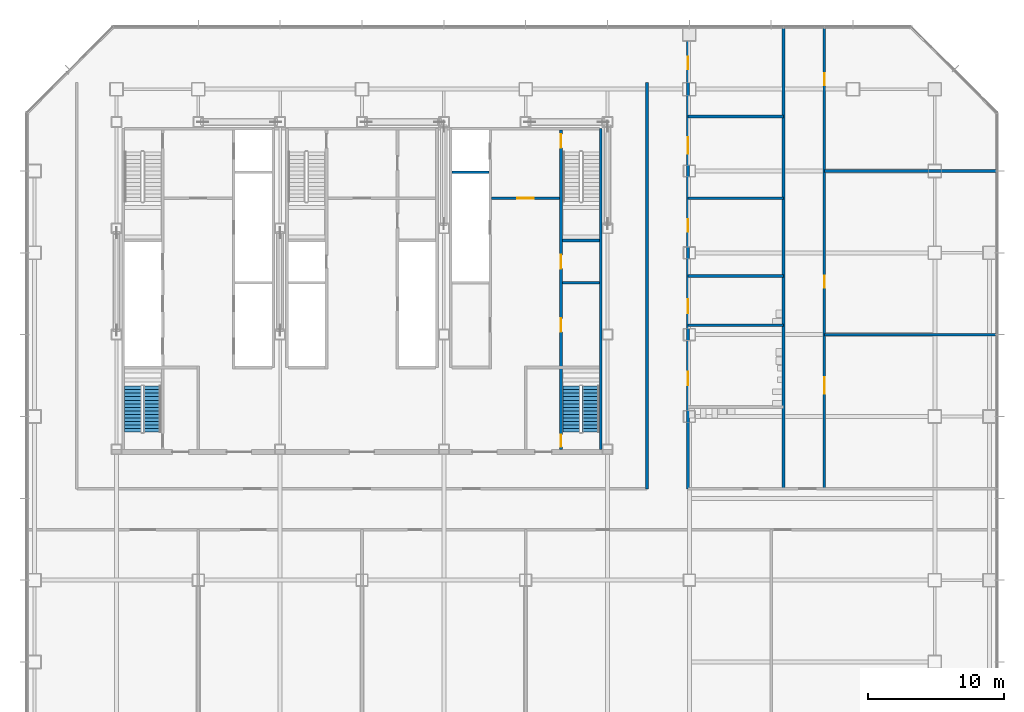
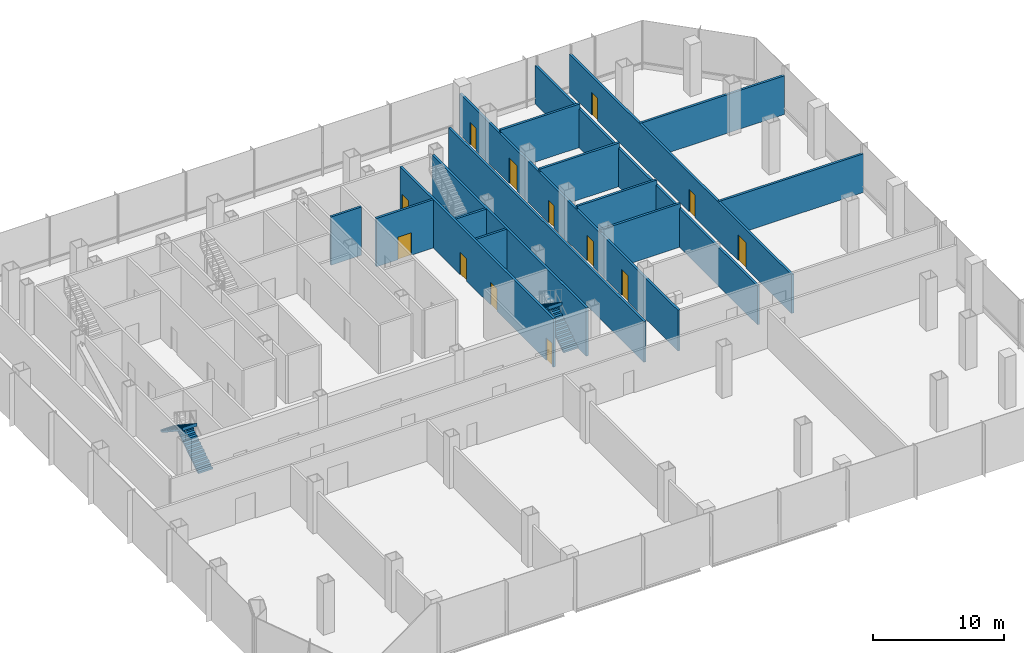
# One storey, part 25 of 34: 16 walls, 13 doors, 4 stair flights, 13 openings, 2 elements without a shape of their own.
"""IFC4 building model written with IfcOpenShell, lengths in metres."""

from ifc_helpers import new_model, si_unit, direction, frame, frame_2d, origin, place, context, subcontext, project, spatial, polyline, rectangle, outline, extrude, material, layer, layer_set, type_object, element, fill, aggregate, save


model = new_model("IFC4")

# Units and contexts
model_context = context("Model", 3, precision=1e-05, world=origin(), true_north=direction((0.0, 1.0)))
body_context = subcontext(model_context, "Body", "Model", "MODEL_VIEW")
ifc_project = project(units=[si_unit("LENGTHUNIT", "METRE"), si_unit("AREAUNIT", "SQUARE_METRE"), si_unit("VOLUMEUNIT", "CUBIC_METRE"), si_unit("PLANEANGLEUNIT", "RADIAN"), si_unit("MASSUNIT", "GRAM", prefix="KILO")], contexts=[model_context])

# Site, building, storey
site_placement = place(None, origin())
site = spatial("IfcSite", under=ifc_project, at=site_placement, CompositionType="ELEMENT")
building_placement = place(site_placement, origin())
building = spatial("IfcBuilding", under=site, at=building_placement, Name="Sorahane Residences", CompositionType="ELEMENT")
storey_placement = place(building_placement, frame((0.0, 0.0, 39.60009765625)))
storey = spatial("IfcBuildingStorey", under=building, at=storey_placement, Name="L06", CompositionType="ELEMENT", Elevation=39.60009765625)

# Walls
ifc_material_1 = material(Name="Concrete C30", Category="concrete")
ifc_layer_1 = layer(ifc_material_1, 0.199951171875)
ifc_layer_set_1 = layer_set([ifc_layer_1], Name="Core face wall 200 EI 180")
wall_type_1 = type_object("IfcWallType", Name="Core face wall 200 EI 180", PredefinedType="SOLIDWALL", material=ifc_layer_set_1)
wall_1_placement = place(storey_placement, frame((41.5, 21.60009765625, 0.0), z_axis=(0.0, 0.0, 1.0), x_axis=(0.0, 1.0, 0.0)))
element("IfcWall", 1, at=wall_1_placement, inside=storey, type_object=wall_type_1, Name="L06 core face wall", PredefinedType="SOLIDWALL", context=body_context, shape_type="SweptSolid", body=[
    extrude(rectangle(XDim=23.5, YDim=0.199951171875, at=frame_2d((11.75, 0.0))), origin(), (0.0, 0.0, 1.0), 4.5),
])
ifc_material_2 = material(Name="Concrete blockwork C20 wall", Category="masonry")
ifc_layer_2 = layer(ifc_material_2, 0.199951171875)
ifc_layer_set_2 = layer_set([ifc_layer_2], Name="Corridor wall 200 EI 120")
wall_type_2 = type_object("IfcWallType", Name="Corridor wall 200 EI 120", PredefinedType="SOLIDWALL", material=ifc_layer_set_2)
wall_2_placement = place(storey_placement, frame((44.89990234375, 18.699951171875, 0.0), z_axis=(0.0, 0.0, 1.0), x_axis=(0.0, 1.0, 0.0)))
element("IfcWall", 2, at=wall_2_placement, inside=storey, type_object=wall_type_2, Name="L06 corridor wall", PredefinedType="SOLIDWALL", context=body_context, shape_type="SweptSolid", body=[
    extrude(rectangle(XDim=29.800048828125, YDim=0.199951171875, at=frame_2d((14.89990234375, 0.0))), origin(), (0.0, 0.0, 1.0), 3.7998046875),
])

# Wall, openings, doors
wall_3_placement = place(storey_placement, frame((47.89990234375, 18.699951171875, 0.0), z_axis=(0.0, 0.0, 1.0), x_axis=(0.0, 1.0, 0.0)))
wall_3 = element("IfcWall", 3, at=wall_3_placement, inside=storey, type_object=wall_type_2, Name="L06 corridor wall", PredefinedType="SOLIDWALL", context=body_context, shape_type="SweptSolid", body=[
    extrude(rectangle(XDim=33.300048828125, YDim=0.199951171875, at=frame_2d((16.64990234375, 0.0))), origin(), (0.0, 0.0, 1.0), 3.7998046875),
])
opening_1_placement = place(wall_3_placement, frame((7.60009765625, 0.0, 0.0)))
opening_1 = element("IfcOpeningElement", 4, at=opening_1_placement, cuts=wall_3, Name="Opening L06-07", PredefinedType="OPENING", context=body_context, shape_type="SweptSolid", body=[
    extrude(rectangle(XDim=1.0, YDim=2.39990234375, at=frame_2d((0.5, 1.199951171875))), frame((0.0, 0.10986328125, 0.0), z_axis=(0.0, -1.0, 0.0), x_axis=(1.0, 0.0, 0.0)), (0.0, 0.0, 1.0), 0.219970703125),
])
opening_2_placement = place(wall_3_placement, frame((12.8798828125, 0.0, 0.0)))
opening_2 = element("IfcOpeningElement", 5, at=opening_2_placement, cuts=wall_3, Name="Opening L06-08", PredefinedType="OPENING", context=body_context, shape_type="SweptSolid", body=[
    extrude(rectangle(XDim=1.0, YDim=2.39990234375, at=frame_2d((0.5, 1.199951171875))), frame((0.0, 0.10986328125, 0.0), z_axis=(0.0, -1.0, 0.0), x_axis=(1.0, 0.0, 0.0)), (0.0, 0.0, 1.0), 0.219970703125),
])
opening_3_placement = place(wall_3_placement, frame((18.860107421875, 0.0, 0.0)))
opening_3 = element("IfcOpeningElement", 6, at=opening_3_placement, cuts=wall_3, Name="Opening L06-09", PredefinedType="OPENING", context=body_context, shape_type="SweptSolid", body=[
    extrude(rectangle(XDim=0.89990234375, YDim=2.10009765625, at=frame_2d((0.449951171875, 1.050048828125))), frame((0.0, 0.10986328125, 0.0), z_axis=(0.0, -1.0, 0.0), x_axis=(1.0, 0.0, 0.0)), (0.0, 0.0, 1.0), 0.219970703125),
])
opening_4_placement = place(wall_3_placement, frame((24.56005859375, 0.0, 0.0)))
opening_4 = element("IfcOpeningElement", 7, at=opening_4_placement, cuts=wall_3, Name="Opening L06-10", PredefinedType="OPENING", context=body_context, shape_type="SweptSolid", body=[
    extrude(rectangle(XDim=1.199951171875, YDim=2.39990234375, at=frame_2d((0.60009765625, 1.199951171875))), frame((0.0, 0.10986328125, 0.0), z_axis=(0.0, -1.0, 0.0), x_axis=(1.0, 0.0, 0.0)), (0.0, 0.0, 1.0), 0.219970703125),
])
opening_5_placement = place(wall_3_placement, frame((30.77001953125, 0.0, 0.0)))
opening_5 = element("IfcOpeningElement", 8, at=opening_5_placement, cuts=wall_3, Name="Opening L06-11", PredefinedType="OPENING", context=body_context, shape_type="SweptSolid", body=[
    extrude(rectangle(XDim=0.89990234375, YDim=2.10009765625, at=frame_2d((0.449951171875, 1.050048828125))), frame((0.0, 0.10986328125, 0.0), z_axis=(0.0, -1.0, 0.0), x_axis=(1.0, 0.0, 0.0)), (0.0, 0.0, 1.0), 0.219970703125),
])
ifc_material_3 = material(Name="Steel", Category="steel")
door_type_1 = type_object("IfcDoorType", Name="Plant door 1200x2400 FD60", OperationType="NOTDEFINED", PredefinedType="DOOR", material=ifc_material_3)
door_1_placement = place(opening_4_placement, frame((1.199951171875, 0.0, 0.0), z_axis=(0.0, 0.0, 1.0), x_axis=(-1.0, 0.0, 0.0)))
door_1 = element("IfcDoor", 9, at=door_1_placement, inside=storey, type_object=door_type_1, Name="Plant door L06-10", OperationType="SINGLE_SWING_RIGHT", OverallHeight=2.39990234375, OverallWidth=1.199951171875, PredefinedType="DOOR", context=body_context, shape_type="SweptSolid", body=[
    extrude(rectangle(XDim=1.199951171875, YDim=2.39990234375, at=frame_2d((0.60009765625, 1.199951171875))), frame((0.0, 0.02490234375, 0.0), z_axis=(0.0, -1.0, 0.0), x_axis=(1.0, 0.0, 0.0)), (0.0, 0.0, 1.0), 0.050048828125),
])
fill(opening_4, door_1)
ifc_material_4 = material(Name="Timber veneered fire door", Category="wood")
door_type_2 = type_object("IfcDoorType", Name="Room door 1000x2400 FD30", OperationType="NOTDEFINED", PredefinedType="DOOR", material=ifc_material_4)
door_2_placement = place(opening_1_placement, frame((1.0, 0.0, 0.0), z_axis=(0.0, 0.0, 1.0), x_axis=(-1.0, 0.0, 0.0)))
door_2 = element("IfcDoor", 10, at=door_2_placement, inside=storey, type_object=door_type_2, Name="Room door L06-07", OperationType="SINGLE_SWING_LEFT", OverallHeight=2.39990234375, OverallWidth=1.0, PredefinedType="DOOR", context=body_context, shape_type="SweptSolid", body=[
    extrude(rectangle(XDim=1.0, YDim=2.39990234375, at=frame_2d((0.5, 1.199951171875))), frame((0.0, 0.02490234375, 0.0), z_axis=(0.0, -1.0, 0.0), x_axis=(1.0, 0.0, 0.0)), (0.0, 0.0, 1.0), 0.050048828125),
])
fill(opening_1, door_2)
door_3_placement = place(opening_2_placement, frame((1.0, 0.0, 0.0), z_axis=(0.0, 0.0, 1.0), x_axis=(-1.0, 0.0, 0.0)))
door_3 = element("IfcDoor", 11, at=door_3_placement, inside=storey, type_object=door_type_2, Name="Room door L06-08", OperationType="SINGLE_SWING_LEFT", OverallHeight=2.39990234375, OverallWidth=1.0, PredefinedType="DOOR", context=body_context, shape_type="SweptSolid", body=[
    extrude(rectangle(XDim=1.0, YDim=2.39990234375, at=frame_2d((0.5, 1.199951171875))), frame((0.0, 0.02490234375, 0.0), z_axis=(0.0, -1.0, 0.0), x_axis=(1.0, 0.0, 0.0)), (0.0, 0.0, 1.0), 0.050048828125),
])
fill(opening_2, door_3)
ifc_material_5 = material(Name="Timber veneered fire door", Category="wood")
door_type_3 = type_object("IfcDoorType", Name="Service door 900x2100 FD30", OperationType="NOTDEFINED", PredefinedType="DOOR", material=ifc_material_5)
door_4_placement = place(opening_3_placement, frame((0.89990234375, 0.0, 0.0), z_axis=(0.0, 0.0, 1.0), x_axis=(-1.0, 0.0, 0.0)))
door_4 = element("IfcDoor", 12, at=door_4_placement, inside=storey, type_object=door_type_3, Name="Service door L06-09", OperationType="SINGLE_SWING_RIGHT", OverallHeight=2.10009765625, OverallWidth=0.89990234375, PredefinedType="DOOR", context=body_context, shape_type="SweptSolid", body=[
    extrude(rectangle(XDim=0.89990234375, YDim=2.10009765625, at=frame_2d((0.449951171875, 1.050048828125))), frame((0.0, 0.02490234375, 0.0), z_axis=(0.0, -1.0, 0.0), x_axis=(1.0, 0.0, 0.0)), (0.0, 0.0, 1.0), 0.050048828125),
])
fill(opening_3, door_4)
door_5_placement = place(opening_5_placement, frame((0.89990234375, 0.0, 0.0), z_axis=(0.0, 0.0, 1.0), x_axis=(-1.0, 0.0, 0.0)))
door_5 = element("IfcDoor", 13, at=door_5_placement, inside=storey, type_object=door_type_3, Name="Service door L06-11", OperationType="SINGLE_SWING_RIGHT", OverallHeight=2.10009765625, OverallWidth=0.89990234375, PredefinedType="DOOR", context=body_context, shape_type="SweptSolid", body=[
    extrude(rectangle(XDim=0.89990234375, YDim=2.10009765625, at=frame_2d((0.449951171875, 1.050048828125))), frame((0.0, 0.02490234375, 0.0), z_axis=(0.0, -1.0, 0.0), x_axis=(1.0, 0.0, 0.0)), (0.0, 0.0, 1.0), 0.050048828125),
])
fill(opening_5, door_5)

# Wall
wall_4_placement = place(storey_placement, frame((54.89990234375, 18.699951171875, 0.0), z_axis=(0.0, 0.0, 1.0), x_axis=(0.0, 1.0, 0.0)))
element("IfcWall", 14, at=wall_4_placement, inside=storey, type_object=wall_type_2, Name="L06 corridor wall", PredefinedType="SOLIDWALL", context=body_context, shape_type="SweptSolid", body=[
    extrude(rectangle(XDim=33.900146484375, YDim=0.199951171875, at=frame_2d((16.9501953125, 0.0))), origin(), (0.0, 0.0, 1.0), 3.599853515625),
])

# Wall, openings, doors
wall_5_placement = place(storey_placement, frame((57.89990234375, 18.699951171875, 0.0), z_axis=(0.0, 0.0, 1.0), x_axis=(0.0, 1.0, 0.0)))
wall_5 = element("IfcWall", 15, at=wall_5_placement, inside=storey, type_object=wall_type_2, Name="L06 corridor wall", PredefinedType="SOLIDWALL", context=body_context, shape_type="SweptSolid", body=[
    extrude(rectangle(XDim=33.900146484375, YDim=0.199951171875, at=frame_2d((16.9501953125, 0.0))), origin(), (0.0, 0.0, 1.0), 3.599853515625),
])
opening_6_placement = place(wall_5_placement, frame((6.969970703125, 0.0, 0.0)))
opening_6 = element("IfcOpeningElement", 16, at=opening_6_placement, cuts=wall_5, Name="Opening L06-13", PredefinedType="OPENING", context=body_context, shape_type="SweptSolid", body=[
    extrude(rectangle(XDim=1.199951171875, YDim=2.39990234375, at=frame_2d((0.60009765625, 1.199951171875))), frame((0.0, 0.10986328125, 0.0), z_axis=(0.0, -1.0, 0.0), x_axis=(1.0, 0.0, 0.0)), (0.0, 0.0, 1.0), 0.219970703125),
])
opening_7_placement = place(wall_5_placement, frame((14.72998046875, 0.0, 0.0)))
opening_7 = element("IfcOpeningElement", 17, at=opening_7_placement, cuts=wall_5, Name="Opening L06-14", PredefinedType="OPENING", context=body_context, shape_type="SweptSolid", body=[
    extrude(rectangle(XDim=0.89990234375, YDim=2.10009765625, at=frame_2d((0.449951171875, 1.050048828125))), frame((0.0, 0.10986328125, 0.0), z_axis=(0.0, -1.0, 0.0), x_axis=(1.0, 0.0, 0.0)), (0.0, 0.0, 1.0), 0.219970703125),
])
opening_8_placement = place(wall_5_placement, frame((29.570068359375, 0.0, 0.0)))
opening_8 = element("IfcOpeningElement", 18, at=opening_8_placement, cuts=wall_5, Name="Opening L06-15", PredefinedType="OPENING", context=body_context, shape_type="SweptSolid", body=[
    extrude(rectangle(XDim=0.89990234375, YDim=2.10009765625, at=frame_2d((0.449951171875, 1.050048828125))), frame((0.0, 0.10986328125, 0.0), z_axis=(0.0, -1.0, 0.0), x_axis=(1.0, 0.0, 0.0)), (0.0, 0.0, 1.0), 0.219970703125),
])
door_6_placement = place(opening_6_placement, frame((1.199951171875, 0.0, 0.0), z_axis=(0.0, 0.0, 1.0), x_axis=(-1.0, 0.0, 0.0)))
door_6 = element("IfcDoor", 19, at=door_6_placement, inside=storey, type_object=door_type_1, Name="Plant door L06-13", OperationType="SINGLE_SWING_RIGHT", OverallHeight=2.39990234375, OverallWidth=1.199951171875, PredefinedType="DOOR", context=body_context, shape_type="SweptSolid", body=[
    extrude(rectangle(XDim=1.199951171875, YDim=2.39990234375, at=frame_2d((0.60009765625, 1.199951171875))), frame((0.0, 0.02490234375, 0.0), z_axis=(0.0, -1.0, 0.0), x_axis=(1.0, 0.0, 0.0)), (0.0, 0.0, 1.0), 0.050048828125),
])
fill(opening_6, door_6)
door_7_placement = place(opening_7_placement, frame((0.89990234375, 0.0, 0.0), z_axis=(0.0, 0.0, 1.0), x_axis=(-1.0, 0.0, 0.0)))
door_7 = element("IfcDoor", 20, at=door_7_placement, inside=storey, type_object=door_type_3, Name="Service door L06-14", OperationType="SINGLE_SWING_RIGHT", OverallHeight=2.10009765625, OverallWidth=0.89990234375, PredefinedType="DOOR", context=body_context, shape_type="SweptSolid", body=[
    extrude(rectangle(XDim=0.89990234375, YDim=2.10009765625, at=frame_2d((0.449951171875, 1.050048828125))), frame((0.0, 0.02490234375, 0.0), z_axis=(0.0, -1.0, 0.0), x_axis=(1.0, 0.0, 0.0)), (0.0, 0.0, 1.0), 0.050048828125),
])
fill(opening_7, door_7)
door_8_placement = place(opening_8_placement, frame((0.89990234375, 0.0, 0.0), z_axis=(0.0, 0.0, 1.0), x_axis=(-1.0, 0.0, 0.0)))
door_8 = element("IfcDoor", 21, at=door_8_placement, inside=storey, type_object=door_type_3, Name="Service door L06-15", OperationType="SINGLE_SWING_RIGHT", OverallHeight=2.10009765625, OverallWidth=0.89990234375, PredefinedType="DOOR", context=body_context, shape_type="SweptSolid", body=[
    extrude(rectangle(XDim=0.89990234375, YDim=2.10009765625, at=frame_2d((0.449951171875, 1.050048828125))), frame((0.0, 0.02490234375, 0.0), z_axis=(0.0, -1.0, 0.0), x_axis=(1.0, 0.0, 0.0)), (0.0, 0.0, 1.0), 0.050048828125),
])
fill(opening_8, door_8)

# Walls
wall_6_placement = place(storey_placement, frame((57.89990234375, 30.0, 0.0), z_axis=(0.0, 0.0, 1.0), x_axis=(1.0, 0.0, 0.0)))
element("IfcWall", 22, at=wall_6_placement, inside=storey, type_object=wall_type_2, Name="L06 corridor wall", PredefinedType="SOLIDWALL", context=body_context, shape_type="SweptSolid", body=[
    extrude(rectangle(XDim=12.7001953125, YDim=0.199951171875, at=frame_2d((6.35009765625, 0.0))), origin(), (0.0, 0.0, 1.0), 3.599853515625),
])
for number, where, z_axis, x_axis, name in (
    (23, (47.89990234375, 30.699951171875, 0.0), (0.0, 0.0, 1.0), (1.0, 0.0, 0.0), "L06 corridor wall"),
    (24, (47.89990234375, 34.300048828125, 0.0), (0.0, 0.0, 1.0), (1.0, 0.0, 0.0), "L06 corridor wall"),
    (25, (47.89990234375, 40.0, 0.0), (0.0, 0.0, 1.0), (1.0, 0.0, 0.0), "L06 corridor wall"),
):
    element("IfcWall", number, at=place(storey_placement, frame(where, z_axis=z_axis, x_axis=x_axis)), inside=storey, type_object=wall_type_2, Name=name, PredefinedType="SOLIDWALL", context=body_context, shape_type="SweptSolid", body=[
        extrude(rectangle(XDim=7.0, YDim=0.199951171875, at=frame_2d((3.5, 0.0))), origin(), (0.0, 0.0, 1.0), 4.0498046875),
    ])
wall_7_placement = place(storey_placement, frame((57.89990234375, 42.0, 0.0), z_axis=(0.0, 0.0, 1.0), x_axis=(1.0, 0.0, 0.0)))
element("IfcWall", 26, at=wall_7_placement, inside=storey, type_object=wall_type_2, Name="L06 corridor wall", PredefinedType="SOLIDWALL", context=body_context, shape_type="SweptSolid", body=[
    extrude(rectangle(XDim=12.7001953125, YDim=0.199951171875, at=frame_2d((6.35009765625, 0.0))), origin(), (0.0, 0.0, 1.0), 3.599853515625),
])
wall_8_placement = place(storey_placement, frame((47.89990234375, 46.0, 0.0), z_axis=(0.0, 0.0, 1.0), x_axis=(1.0, 0.0, 0.0)))
element("IfcWall", 27, at=wall_8_placement, inside=storey, type_object=wall_type_2, Name="L06 corridor wall", PredefinedType="SOLIDWALL", context=body_context, shape_type="SweptSolid", body=[
    extrude(rectangle(XDim=7.0, YDim=0.199951171875, at=frame_2d((3.5, 0.0))), origin(), (0.0, 0.0, 1.0), 4.0498046875),
])

# Wall, opening, door
ifc_material_6 = material(Name="Concrete C30", Category="concrete")
ifc_layer_3 = layer(ifc_material_6, 0.199951171875)
ifc_layer_set_3 = layer_set([ifc_layer_3], Name="Front room wall 200 EI 120")
wall_type_3 = type_object("IfcWallType", Name="Front room wall 200 EI 120", PredefinedType="PARTITIONING", material=ifc_layer_set_3)
wall_9_placement = place(storey_placement, frame((33.5, 40.0, 0.0), z_axis=(0.0, 0.0, 1.0), x_axis=(1.0, 0.0, 0.0)))
wall_9 = element("IfcWall", 28, at=wall_9_placement, inside=storey, type_object=wall_type_3, Name="L06 front room wall", PredefinedType="PARTITIONING", context=body_context, shape_type="SweptSolid", body=[
    extrude(rectangle(XDim=5.0, YDim=0.199951171875, at=frame_2d((2.5, 0.0))), origin(), (0.0, 0.0, 1.0), 4.5),
])
opening_9_placement = place(wall_9_placement, frame((1.89990234375, 0.0, 0.0)))
opening_9 = element("IfcOpeningElement", 29, at=opening_9_placement, cuts=wall_9, Name="Opening L06-C08", PredefinedType="OPENING", context=body_context, shape_type="SweptSolid", body=[
    extrude(rectangle(XDim=1.199951171875, YDim=2.10009765625, at=frame_2d((0.60009765625, 1.050048828125))), frame((0.0, 0.10986328125, 0.0), z_axis=(0.0, -1.0, 0.0), x_axis=(1.0, 0.0, 0.0)), (0.0, 0.0, 1.0), 0.219970703125),
])
ifc_material_7 = material(Name="Steel", Category="steel")
door_type_4 = type_object("IfcDoorType", Name="Front room door 1200x2100 FD120", OperationType="NOTDEFINED", PredefinedType="DOOR", material=ifc_material_7)
door_9_placement = place(opening_9_placement, frame((1.199951171875, 0.0, 0.0), z_axis=(0.0, 0.0, 1.0), x_axis=(-1.0, 0.0, 0.0)))
door_9 = element("IfcDoor", 30, at=door_9_placement, inside=storey, type_object=door_type_4, Name="Front room door Firefighting lobby FF2 front room L06", OperationType="DOUBLE_DOOR_SINGLE_SWING", OverallHeight=2.10009765625, OverallWidth=1.199951171875, PredefinedType="DOOR", context=body_context, shape_type="SweptSolid", body=[
    extrude(rectangle(XDim=1.199951171875, YDim=2.10009765625, at=frame_2d((0.60009765625, 1.050048828125))), frame((0.0, 0.02490234375, 0.0), z_axis=(0.0, -1.0, 0.0), x_axis=(1.0, 0.0, 0.0)), (0.0, 0.0, 1.0), 0.050048828125),
])
fill(opening_9, door_9)

# Walls
ifc_material_8 = material(Name="Concrete C30", Category="concrete")
ifc_layer_4 = layer(ifc_material_8, 0.199951171875)
ifc_layer_set_4 = layer_set([ifc_layer_4], Name="Lift shaft wall 200 EI 120")
wall_type_4 = type_object("IfcWallType", Name="Lift shaft wall 200 EI 120", PredefinedType="SOLIDWALL", material=ifc_layer_set_4)
wall_10_placement = place(storey_placement, frame((30.60009765625, 41.89990234375, 0.0), z_axis=(0.0, 0.0, 1.0), x_axis=(1.0, 0.0, 0.0)))
element("IfcWall", 31, at=wall_10_placement, inside=storey, type_object=wall_type_4, Name="L06 lift shaft wall", PredefinedType="SOLIDWALL", context=body_context, shape_type="SweptSolid", body=[
    extrude(rectangle(XDim=2.699951171875, YDim=0.199951171875, at=frame_2d((1.35009765625, 0.0))), origin(), (0.0, 0.0, 1.0), 4.5),
])
ifc_material_9 = material(Name="Concrete C30", Category="concrete")
ifc_layer_5 = layer(ifc_material_9, 0.199951171875)
ifc_layer_set_5 = layer_set([ifc_layer_5], Name="Service room partition 200 EI 60")
wall_type_5 = type_object("IfcWallType", Name="Service room partition 200 EI 60", PredefinedType="PARTITIONING", material=ifc_layer_set_5)
wall_11_placement = place(storey_placement, frame((38.699951171875, 33.800048828125, 0.0), z_axis=(0.0, 0.0, 1.0), x_axis=(1.0, 0.0, 0.0)))
element("IfcWall", 32, at=wall_11_placement, inside=storey, type_object=wall_type_5, Name="L06 service room wall", PredefinedType="PARTITIONING", context=body_context, shape_type="SweptSolid", body=[
    extrude(rectangle(XDim=2.699951171875, YDim=0.199951171875, at=frame_2d((1.35009765625, 0.0))), origin(), (0.0, 0.0, 1.0), 4.5),
])

# Wall, openings, doors
ifc_material_10 = material(Name="Concrete C30", Category="concrete")
ifc_layer_6 = layer(ifc_material_10, 0.199951171875)
ifc_layer_set_6 = layer_set([ifc_layer_6], Name="Stair enclosure wall 200 EI 120")
wall_type_6 = type_object("IfcWallType", Name="Stair enclosure wall 200 EI 120", PredefinedType="SOLIDWALL", material=ifc_layer_set_6)
wall_12_placement = place(storey_placement, frame((38.60009765625, 21.60009765625, 0.0), z_axis=(0.0, 0.0, 1.0), x_axis=(0.0, 1.0, 0.0)))
wall_12 = element("IfcWall", 33, at=wall_12_placement, inside=storey, type_object=wall_type_6, Name="L06 stair enclosure wall", PredefinedType="SOLIDWALL", context=body_context, shape_type="SweptSolid", body=[
    extrude(rectangle(XDim=23.39990234375, YDim=0.199951171875, at=frame_2d((11.699951171875, 0.0))), origin(), (0.0, 0.0, 1.0), 4.5),
])
opening_10_placement = place(wall_12_placement, frame((8.60009765625, 0.0, 0.0)))
opening_10 = element("IfcOpeningElement", 34, at=opening_10_placement, cuts=wall_12, Name="Opening L06-C16", PredefinedType="OPENING", context=body_context, shape_type="SweptSolid", body=[
    extrude(rectangle(XDim=1.0, YDim=2.10009765625, at=frame_2d((0.5, 1.050048828125))), frame((0.0, 0.10986328125, 0.0), z_axis=(0.0, -1.0, 0.0), x_axis=(1.0, 0.0, 0.0)), (0.0, 0.0, 1.0), 0.219970703125),
])
opening_11_placement = place(wall_12_placement, frame((13.25, 0.0, 0.0)))
opening_11 = element("IfcOpeningElement", 35, at=opening_11_placement, cuts=wall_12, Name="Opening L06-C17", PredefinedType="OPENING", context=body_context, shape_type="SweptSolid", body=[
    extrude(rectangle(XDim=1.0, YDim=2.10009765625, at=frame_2d((0.5, 1.050048828125))), frame((0.0, 0.10986328125, 0.0), z_axis=(0.0, -1.0, 0.0), x_axis=(1.0, 0.0, 0.0)), (0.0, 0.0, 1.0), 0.219970703125),
])
opening_12_placement = place(wall_12_placement, frame((22.10009765625, 0.0, 0.0)))
opening_12 = element("IfcOpeningElement", 36, at=opening_12_placement, cuts=wall_12, Name="Opening L06-C20", PredefinedType="OPENING", context=body_context, shape_type="SweptSolid", body=[
    extrude(rectangle(XDim=1.0, YDim=2.10009765625, at=frame_2d((0.5, 1.050048828125))), frame((0.0, 0.10986328125, 0.0), z_axis=(0.0, -1.0, 0.0), x_axis=(1.0, 0.0, 0.0)), (0.0, 0.0, 1.0), 0.219970703125),
])
opening_13_placement = place(wall_12_placement, frame((0.175048828125, 0.0, 0.0)))
opening_13 = element("IfcOpeningElement", 37, at=opening_13_placement, cuts=wall_12, Name="Opening L06-C23", PredefinedType="OPENING", context=body_context, shape_type="SweptSolid", body=[
    extrude(rectangle(XDim=0.89990234375, YDim=2.10009765625, at=frame_2d((0.449951171875, 1.050048828125))), frame((0.0, 0.10986328125, 0.0), z_axis=(0.0, -1.0, 0.0), x_axis=(1.0, 0.0, 0.0)), (0.0, 0.0, 1.0), 0.219970703125),
])
ifc_material_11 = material(Name="Steel", Category="steel")
door_type_5 = type_object("IfcDoorType", Name="Service room door 1000x2100 FD60", OperationType="NOTDEFINED", PredefinedType="DOOR", material=ifc_material_11)
door_10_placement = place(opening_10_placement, frame((1.0, 0.0, 0.0), z_axis=(0.0, 0.0, 1.0), x_axis=(-1.0, 0.0, 0.0)))
door_10 = element("IfcDoor", 38, at=door_10_placement, inside=storey, type_object=door_type_5, Name="Service room door Flower room L06", OperationType="SINGLE_SWING_RIGHT", OverallHeight=2.10009765625, OverallWidth=1.0, PredefinedType="DOOR", context=body_context, shape_type="SweptSolid", body=[
    extrude(rectangle(XDim=1.0, YDim=2.10009765625, at=frame_2d((0.5, 1.050048828125))), frame((0.0, 0.02490234375, 0.0), z_axis=(0.0, -1.0, 0.0), x_axis=(1.0, 0.0, 0.0)), (0.0, 0.0, 1.0), 0.050048828125),
])
fill(opening_10, door_10)
door_11_placement = place(opening_11_placement, frame((1.0, 0.0, 0.0), z_axis=(0.0, 0.0, 1.0), x_axis=(-1.0, 0.0, 0.0)))
door_11 = element("IfcDoor", 39, at=door_11_placement, inside=storey, type_object=door_type_5, Name="Service room door Gift store L06", OperationType="SINGLE_SWING_LEFT", OverallHeight=2.10009765625, OverallWidth=1.0, PredefinedType="DOOR", context=body_context, shape_type="SweptSolid", body=[
    extrude(rectangle(XDim=1.0, YDim=2.10009765625, at=frame_2d((0.5, 1.050048828125))), frame((0.0, 0.02490234375, 0.0), z_axis=(0.0, -1.0, 0.0), x_axis=(1.0, 0.0, 0.0)), (0.0, 0.0, 1.0), 0.050048828125),
])
fill(opening_11, door_11)
ifc_material_12 = material(Name="Steel", Category="steel")
door_type_6 = type_object("IfcDoorType", Name="Stair door 1000x2100 FD120", OperationType="NOTDEFINED", PredefinedType="DOOR", material=ifc_material_12)
door_12_placement = place(opening_12_placement, frame((1.0, 0.0, 0.0), z_axis=(0.0, 0.0, 1.0), x_axis=(-1.0, 0.0, 0.0)))
door_12 = element("IfcDoor", 40, at=door_12_placement, inside=storey, type_object=door_type_6, Name="Stair door S2 L06", OperationType="SINGLE_SWING_LEFT", OverallHeight=2.10009765625, OverallWidth=1.0, PredefinedType="DOOR", context=body_context, shape_type="SweptSolid", body=[
    extrude(rectangle(XDim=1.0, YDim=2.10009765625, at=frame_2d((0.5, 1.050048828125))), frame((0.0, 0.02490234375, 0.0), z_axis=(0.0, -1.0, 0.0), x_axis=(1.0, 0.0, 0.0)), (0.0, 0.0, 1.0), 0.050048828125),
])
fill(opening_12, door_12)
ifc_material_13 = material(Name="Steel", Category="steel")
door_type_7 = type_object("IfcDoorType", Name="Stair door 900x2100 FD120", OperationType="NOTDEFINED", PredefinedType="DOOR", material=ifc_material_13)
door_13_placement = place(opening_13_placement, frame((0.89990234375, 0.0, 0.0), z_axis=(0.0, 0.0, 1.0), x_axis=(-1.0, 0.0, 0.0)))
door_13 = element("IfcDoor", 41, at=door_13_placement, inside=storey, type_object=door_type_7, Name="Stair door S5 L06", OperationType="SINGLE_SWING_LEFT", OverallHeight=2.10009765625, OverallWidth=0.89990234375, PredefinedType="DOOR", context=body_context, shape_type="SweptSolid", body=[
    extrude(rectangle(XDim=0.89990234375, YDim=2.10009765625, at=frame_2d((0.449951171875, 1.050048828125))), frame((0.0, 0.02490234375, 0.0), z_axis=(0.0, -1.0, 0.0), x_axis=(1.0, 0.0, 0.0)), (0.0, 0.0, 1.0), 0.050048828125),
])
fill(opening_13, door_13)

# Wall
wall_13_placement = place(storey_placement, frame((38.699951171875, 36.89990234375, 0.0), z_axis=(0.0, 0.0, 1.0), x_axis=(1.0, 0.0, 0.0)))
element("IfcWall", 42, at=wall_13_placement, inside=storey, type_object=wall_type_6, Name="L06 stair enclosure wall", PredefinedType="SOLIDWALL", context=body_context, shape_type="SweptSolid", body=[
    extrude(rectangle(XDim=2.699951171875, YDim=0.199951171875, at=frame_2d((1.35009765625, 0.0))), origin(), (0.0, 0.0, 1.0), 4.5),
])

# Stair, stair flights
ifc_material_14 = material(Name="Concrete C40", Category="concrete")
stair_type = type_object("IfcStairType", Name="Dog-leg stair 1250 Concrete C40", PredefinedType="HALF_TURN_STAIR", material=ifc_material_14)
stair_1_placement = place(storey_placement, origin())
stair_1 = element("IfcStair", 43, at=stair_1_placement, inside=storey, type_object=stair_type, Name="L06 Stair S4", PredefinedType="HALF_TURN_STAIR")
ifc_material_15 = material(Name="Concrete C40", Category="concrete")
stair_flight_type = type_object("IfcStairFlightType", Name="Stair flight 1250 Concrete C40", PredefinedType="STRAIGHT", material=ifc_material_15)
stair_flight_1_placement = place(storey_placement, frame((8.625, 22.85009765625, 0.0), z_axis=(0.0, 0.0, 1.0), x_axis=(0.0, 1.0, 0.0)))
stair_flight_1 = element("IfcStairFlight", 44, at=stair_flight_1_placement, type_object=stair_flight_type, Name="S4 flight 1", NumberOfRisers=14, NumberOfTreads=13, PredefinedType="STRAIGHT", RiserHeight=0.171428571, TreadLength=0.26, context=body_context, shape_type="SweptSolid", body=[
    extrude(outline(polyline([(-0.00146484375, 0.0), (-0.00146484375, 0.17138671875), (0.0, 0.17138671875), (0.260009765625, 0.17138671875), (0.260009765625, 0.3427734375), (0.52001953125, 0.3427734375), (0.52001953125, 0.514404296875), (0.780029296875, 0.514404296875), (0.780029296875, 0.685791015625), (1.0400390625, 0.685791015625), (1.0400390625, 0.857177734375), (1.300048828125, 0.857177734375), (1.300048828125, 1.028564453125), (1.56005859375, 1.028564453125), (1.56005859375, 1.199951171875), (1.820068359375, 1.199951171875), (1.820068359375, 1.371337890625), (2.080078125, 1.371337890625), (2.080078125, 1.54296875), (2.340087890625, 1.54296875), (2.340087890625, 1.71435546875), (2.60009765625, 1.71435546875), (2.60009765625, 1.8857421875), (2.860107421875, 1.8857421875), (2.860107421875, 2.05712890625), (3.1201171875, 2.05712890625), (3.1201171875, 2.228515625), (3.3798828125, 2.228515625), (3.3798828125, 2.39990234375), (3.3798828125, 2.084716796875), (3.169189453125, 1.94580078125), (2.95849609375, 1.806640625), (2.74755859375, 1.667724609375), (2.536865234375, 1.52880859375), (2.326171875, 1.389892578125), (2.115234375, 1.250732421875), (1.904541015625, 1.11181640625), (1.693603515625, 0.972900390625), (1.48291015625, 0.833984375), (1.272216796875, 0.69482421875), (1.061279296875, 0.555908203125), (0.8505859375, 0.4169921875), (0.639892578125, 0.278076171875), (0.428955078125, 0.138916015625), (0.21826171875, 0.0), (-0.00146484375, 0.0)])), frame((0.0, 0.625, 0.0), z_axis=(0.0, -1.0, 0.0), x_axis=(1.0, 0.0, 0.0)), (0.0, 0.0, 1.0), 1.25),
])
stair_flight_2_placement = place(storey_placement, frame((7.22509765625, 26.22998046875, 2.39990234375), z_axis=(0.0, 0.0, 1.0), x_axis=(0.0, -1.0, 0.0)))
stair_flight_2 = element("IfcStairFlight", 45, at=stair_flight_2_placement, type_object=stair_flight_type, Name="S4 flight 2", NumberOfRisers=14, NumberOfTreads=13, PredefinedType="STRAIGHT", RiserHeight=0.171428571, TreadLength=0.26, context=body_context, shape_type="SweptSolid", body=[
    extrude(outline(polyline([(0.0, 0.0), (0.0, 0.17138671875), (0.260009765625, 0.17138671875), (0.260009765625, 0.3427734375), (0.52001953125, 0.3427734375), (0.52001953125, 0.514404296875), (0.780029296875, 0.514404296875), (0.780029296875, 0.685791015625), (1.0400390625, 0.685791015625), (1.0400390625, 0.857177734375), (1.300048828125, 0.857177734375), (1.300048828125, 1.028564453125), (1.56005859375, 1.028564453125), (1.56005859375, 1.199951171875), (1.820068359375, 1.199951171875), (1.820068359375, 1.371337890625), (2.080078125, 1.371337890625), (2.080078125, 1.54296875), (2.340087890625, 1.54296875), (2.340087890625, 1.71435546875), (2.60009765625, 1.71435546875), (2.60009765625, 1.8857421875), (2.860107421875, 1.8857421875), (2.860107421875, 2.05712890625), (3.1201171875, 2.05712890625), (3.1201171875, 2.228515625), (3.3798828125, 2.228515625), (3.3798828125, 2.39990234375), (3.381591796875, 2.39990234375), (3.381591796875, 2.084716796875), (3.170654296875, 1.94580078125), (2.959716796875, 1.806640625), (2.748779296875, 1.667724609375), (2.537841796875, 1.52880859375), (2.3271484375, 1.389892578125), (2.1162109375, 1.250732421875), (1.9052734375, 1.11181640625), (1.6943359375, 0.972900390625), (1.483642578125, 0.833984375), (1.272705078125, 0.69482421875), (1.061767578125, 0.555908203125), (0.850830078125, 0.4169921875), (0.639892578125, 0.278076171875), (0.42919921875, 0.138916015625), (0.21826171875, 0.0), (0.0, 0.0)])), frame((0.0, 0.625, 0.0), z_axis=(0.0, -1.0, 0.0), x_axis=(1.0, 0.0, 0.0)), (0.0, 0.0, 1.0), 1.25),
])
aggregate(stair_1, [stair_flight_1, stair_flight_2])

stair_2_placement = place(storey_placement, origin())
stair_2 = element("IfcStair", 46, at=stair_2_placement, inside=storey, type_object=stair_type, Name="L06 Stair S5", PredefinedType="HALF_TURN_STAIR")
stair_flight_3_placement = place(storey_placement, frame((40.77490234375, 22.85009765625, 0.0), z_axis=(0.0, 0.0, 1.0), x_axis=(0.0, 1.0, 0.0)))
stair_flight_3 = element("IfcStairFlight", 47, at=stair_flight_3_placement, type_object=stair_flight_type, Name="S5 flight 1", NumberOfRisers=14, NumberOfTreads=13, PredefinedType="STRAIGHT", RiserHeight=0.171428571, TreadLength=0.26, context=body_context, shape_type="SweptSolid", body=[
    extrude(outline(polyline([(-0.00146484375, 0.0), (-0.00146484375, 0.17138671875), (0.0, 0.17138671875), (0.260009765625, 0.17138671875), (0.260009765625, 0.3427734375), (0.52001953125, 0.3427734375), (0.52001953125, 0.514404296875), (0.780029296875, 0.514404296875), (0.780029296875, 0.685791015625), (1.0400390625, 0.685791015625), (1.0400390625, 0.857177734375), (1.300048828125, 0.857177734375), (1.300048828125, 1.028564453125), (1.56005859375, 1.028564453125), (1.56005859375, 1.199951171875), (1.820068359375, 1.199951171875), (1.820068359375, 1.371337890625), (2.080078125, 1.371337890625), (2.080078125, 1.54296875), (2.340087890625, 1.54296875), (2.340087890625, 1.71435546875), (2.60009765625, 1.71435546875), (2.60009765625, 1.8857421875), (2.860107421875, 1.8857421875), (2.860107421875, 2.05712890625), (3.1201171875, 2.05712890625), (3.1201171875, 2.228515625), (3.3798828125, 2.228515625), (3.3798828125, 2.39990234375), (3.3798828125, 2.084716796875), (3.169189453125, 1.94580078125), (2.95849609375, 1.806640625), (2.74755859375, 1.667724609375), (2.536865234375, 1.52880859375), (2.326171875, 1.389892578125), (2.115234375, 1.250732421875), (1.904541015625, 1.11181640625), (1.693603515625, 0.972900390625), (1.48291015625, 0.833984375), (1.272216796875, 0.69482421875), (1.061279296875, 0.555908203125), (0.8505859375, 0.4169921875), (0.639892578125, 0.278076171875), (0.428955078125, 0.138916015625), (0.21826171875, 0.0), (-0.00146484375, 0.0)])), frame((0.0, 0.625, 0.0), z_axis=(0.0, -1.0, 0.0), x_axis=(1.0, 0.0, 0.0)), (0.0, 0.0, 1.0), 1.25),
])
stair_flight_4_placement = place(storey_placement, frame((39.375, 26.22998046875, 2.39990234375), z_axis=(0.0, 0.0, 1.0), x_axis=(0.0, -1.0, 0.0)))
stair_flight_4 = element("IfcStairFlight", 48, at=stair_flight_4_placement, type_object=stair_flight_type, Name="S5 flight 2", NumberOfRisers=14, NumberOfTreads=13, PredefinedType="STRAIGHT", RiserHeight=0.171428571, TreadLength=0.26, context=body_context, shape_type="SweptSolid", body=[
    extrude(outline(polyline([(0.0, 0.0), (0.0, 0.17138671875), (0.260009765625, 0.17138671875), (0.260009765625, 0.3427734375), (0.52001953125, 0.3427734375), (0.52001953125, 0.514404296875), (0.780029296875, 0.514404296875), (0.780029296875, 0.685791015625), (1.0400390625, 0.685791015625), (1.0400390625, 0.857177734375), (1.300048828125, 0.857177734375), (1.300048828125, 1.028564453125), (1.56005859375, 1.028564453125), (1.56005859375, 1.199951171875), (1.820068359375, 1.199951171875), (1.820068359375, 1.371337890625), (2.080078125, 1.371337890625), (2.080078125, 1.54296875), (2.340087890625, 1.54296875), (2.340087890625, 1.71435546875), (2.60009765625, 1.71435546875), (2.60009765625, 1.8857421875), (2.860107421875, 1.8857421875), (2.860107421875, 2.05712890625), (3.1201171875, 2.05712890625), (3.1201171875, 2.228515625), (3.3798828125, 2.228515625), (3.3798828125, 2.39990234375), (3.381591796875, 2.39990234375), (3.381591796875, 2.084716796875), (3.170654296875, 1.94580078125), (2.959716796875, 1.806640625), (2.748779296875, 1.667724609375), (2.537841796875, 1.52880859375), (2.3271484375, 1.389892578125), (2.1162109375, 1.250732421875), (1.9052734375, 1.11181640625), (1.6943359375, 0.972900390625), (1.483642578125, 0.833984375), (1.272705078125, 0.69482421875), (1.061767578125, 0.555908203125), (0.850830078125, 0.4169921875), (0.639892578125, 0.278076171875), (0.42919921875, 0.138916015625), (0.21826171875, 0.0), (0.0, 0.0)])), frame((0.0, 0.625, 0.0), z_axis=(0.0, -1.0, 0.0), x_axis=(1.0, 0.0, 0.0)), (0.0, 0.0, 1.0), 1.25),
])
aggregate(stair_2, [stair_flight_3, stair_flight_4])

save(model, "model.ifc")
